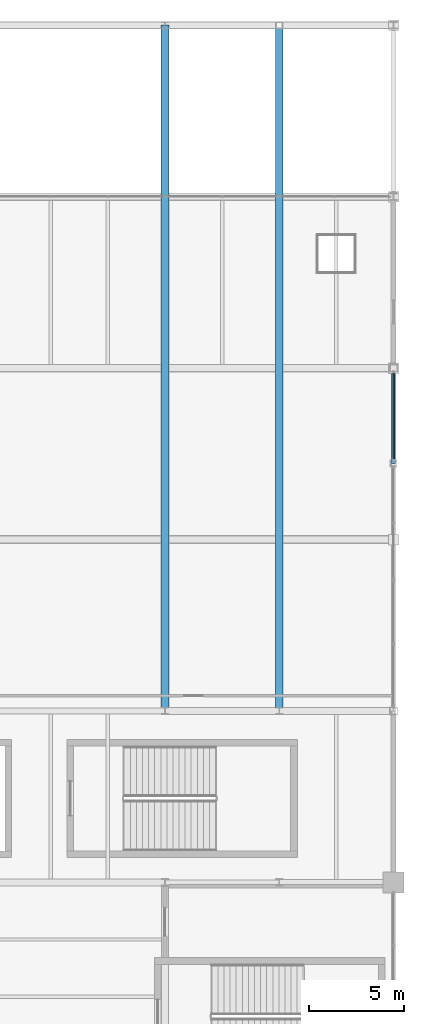
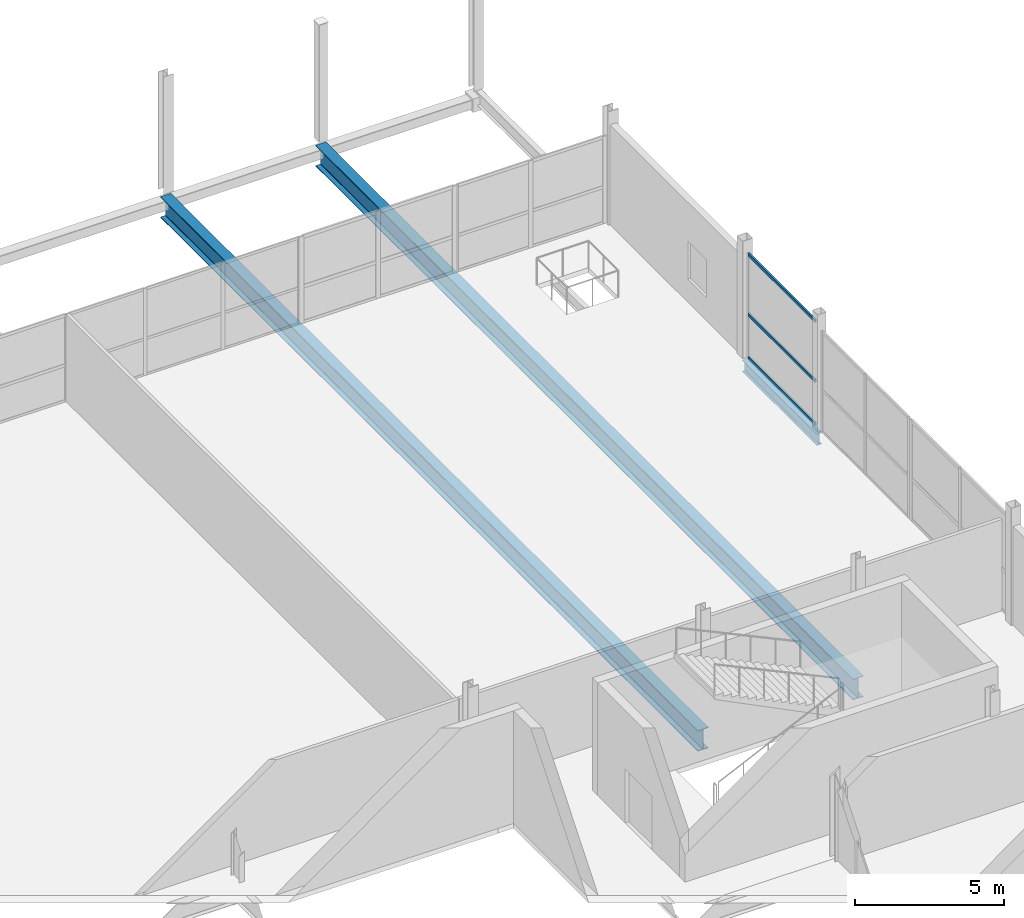
# One storey, part 38 of 69: 3 beams, 3 members, 1 element without a shape of its own.
"""IFC4 building model written with IfcOpenShell, lengths in metres."""

from ifc_helpers import new_model, si_unit, direction, frame, origin, origin_2d, place, context, subcontext, project, spatial, rectangle, i_section, extrude, material, layer, layer_set, material_profile, profile_set, type_object, element, aggregate, save


model = new_model("IFC4")

# Units and contexts
model_context = context("Model", 3, precision=1e-05, world=origin(), true_north=direction((0.0, 1.0)))
body_context = subcontext(model_context, "Body", "Model", "MODEL_VIEW")
ifc_project = project(units=[si_unit("LENGTHUNIT", "METRE"), si_unit("AREAUNIT", "SQUARE_METRE"), si_unit("VOLUMEUNIT", "CUBIC_METRE"), si_unit("PLANEANGLEUNIT", "RADIAN"), si_unit("MASSUNIT", "GRAM", prefix="KILO")], contexts=[model_context])

# Site, building, storey
site_placement = place(None, origin())
site = spatial("IfcSite", under=ifc_project, at=site_placement, CompositionType="ELEMENT")
building_placement = place(site_placement, origin())
building = spatial("IfcBuilding", under=site, at=building_placement, Name="Qamarlyn Nura Convention Centre", CompositionType="ELEMENT")
storey_placement = place(building_placement, frame((0.0, 0.0, 15.60009765625)))
storey = spatial("IfcBuildingStorey", under=building, at=storey_placement, Name="L03", CompositionType="ELEMENT", Elevation=15.60009765625)

# Beams
ifc_material_1 = material(Name="Steel ASTM A992", Category="steel")
ifc_material_profile_1 = material_profile(ifc_material_1, i_section(OverallWidth=0.39990234375, OverallDepth=0.85498046875, WebThickness=0.018310546875, FlangeThickness=0.029296875, FilletRadius=0.02197265625, at=origin_2d()), Name="W840X299")
ifc_profile_set_1 = profile_set([ifc_material_profile_1], Name="Steel ASTM A992")
beam_type_1 = type_object("IfcBeamType", Name="BM-GIRD-840", PredefinedType="BEAM", material=ifc_profile_set_1)
for number, where, z_axis, x_axis, name in (
    (1, (180.0, 90.0, -0.627685546875), (0.0, 1.0, 0.0), (-1.0, 0.0, 0.0), "L03 girder 16 L-Q"),
    (2, (186.0, 90.0, -0.627685546875), (0.0, 1.0, 0.0), (-1.0, 0.0, 0.0), "L03 girder 17 L-Q"),
):
    element("IfcBeam", number, at=place(storey_placement, frame(where, z_axis=z_axis, x_axis=x_axis)), inside=storey, type_object=beam_type_1, Name=name, PredefinedType="BEAM", context=body_context, shape_type="SweptSolid", body=[
        extrude(i_section(OverallWidth=0.39990234375, OverallDepth=0.85498046875, WebThickness=0.018310546875, FlangeThickness=0.029296875, FilletRadius=0.02197265625, at=origin_2d()), origin(), (0.0, 0.0, 1.0), 36.0),
    ])
ifc_material_profile_2 = material_profile(ifc_material_1, i_section(OverallWidth=0.193115234375, OverallDepth=0.466064453125, WebThickness=0.011474609375, FlangeThickness=0.01904296875, FilletRadius=0.012939453125, at=origin_2d()), Name="W460X97")
ifc_profile_set_2 = profile_set([ifc_material_profile_2], Name="Steel ASTM A992")
beam_type_2 = type_object("IfcBeamType", Name="BM-SPAN-460", PredefinedType="SPANDREL", material=ifc_profile_set_2)
beam_placement = place(storey_placement, frame((192.0, 103.0, -0.43310546875), z_axis=(0.0, 1.0, 0.0), x_axis=(-1.0, 0.0, 0.0)))
element("IfcBeam", 3, at=beam_placement, inside=storey, type_object=beam_type_2, Name="L03 girder 18 M-N", PredefinedType="SPANDREL", context=body_context, shape_type="SweptSolid", body=[
    extrude(i_section(OverallWidth=0.193115234375, OverallDepth=0.466064453125, WebThickness=0.011474609375, FlangeThickness=0.01904296875, FilletRadius=0.012939453125, at=origin_2d()), origin(), (0.0, 0.0, 1.0), 5.0),
])

# Curtain wall, members
ifc_material_2 = material(Name="Double-silver low-E insulated glass", Category="glass")
ifc_layer = layer(ifc_material_2, 0.179931640625, Name="CW-UNIT-117")
ifc_layer_set = layer_set([ifc_layer], Name="Double-silver low-E insulated glass")
curtain_wall_type = type_object("IfcCurtainWallType", Name="CW-UNIT-117", PredefinedType="NOTDEFINED", material=ifc_layer_set)
curtain_wall_placement = place(storey_placement, origin())
curtain_wall = element("IfcCurtainWall", 4, at=curtain_wall_placement, inside=storey, type_object=curtain_wall_type, Name="L03 unitised curtain wall EAST-12-1", PredefinedType="NOTDEFINED")
ifc_material_3 = material(Name="Champagne-anodised marine aluminium", Category="aluminium")
ifc_material_profile_3 = material_profile(ifc_material_3, rectangle(XDim=0.06494140625, YDim=0.1201171875, at=origin_2d()), Name="ALU TRANSOM 65x120")
ifc_profile_set_3 = profile_set([ifc_material_profile_3], Name="Champagne-anodised marine aluminium")
member_type = type_object("IfcMemberType", Name="CWT-120", PredefinedType="USERDEFINED", material=ifc_profile_set_3)
member_1_placement = place(storey_placement, frame((192.0, 107.735107421875, 0.032470703125), z_axis=(0.0, -1.0, 0.0), x_axis=(1.0, 0.0, 0.0)))
member_1 = element("IfcMember", 5, at=member_1_placement, type_object=member_type, Name="CW117 transom 1.1", ObjectType="TRANSOM", PredefinedType="USERDEFINED", context=body_context, shape_type="SweptSolid", body=[
    extrude(rectangle(XDim=0.06494140625, YDim=0.1201171875, at=origin_2d()), origin(), (0.0, 0.0, 1.0), 4.4951171875),
])
member_2_placement = place(storey_placement, frame((192.0, 107.735107421875, 1.7998046875), z_axis=(0.0, -1.0, 0.0), x_axis=(1.0, 0.0, 0.0)))
member_2 = element("IfcMember", 6, at=member_2_placement, type_object=member_type, Name="CW117 transom 1.2", ObjectType="TRANSOM", PredefinedType="USERDEFINED", context=body_context, shape_type="SweptSolid", body=[
    extrude(rectangle(XDim=0.06494140625, YDim=0.1201171875, at=origin_2d()), origin(), (0.0, 0.0, 1.0), 4.4951171875),
])
member_3_placement = place(storey_placement, frame((192.0, 107.735107421875, 4.25244140625), z_axis=(0.0, -1.0, 0.0), x_axis=(1.0, 0.0, 0.0)))
member_3 = element("IfcMember", 7, at=member_3_placement, type_object=member_type, Name="CW117 transom 1.3", ObjectType="TRANSOM", PredefinedType="USERDEFINED", context=body_context, shape_type="SweptSolid", body=[
    extrude(rectangle(XDim=0.06494140625, YDim=0.1201171875, at=origin_2d()), origin(), (0.0, 0.0, 1.0), 4.4951171875),
])
aggregate(curtain_wall, [member_1, member_2, member_3])

save(model, "model.ifc")
